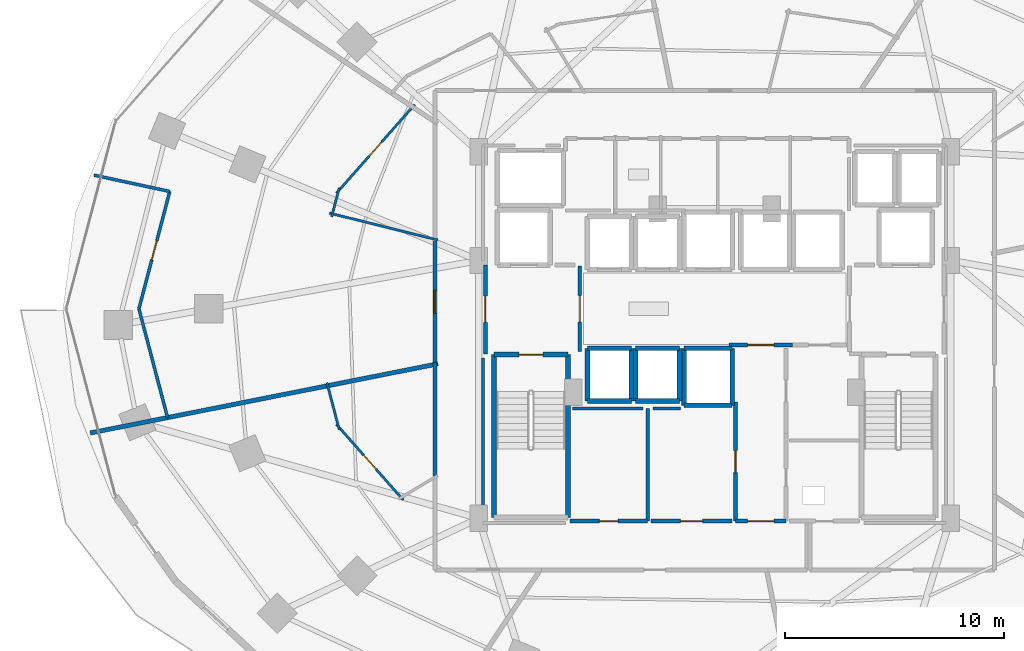
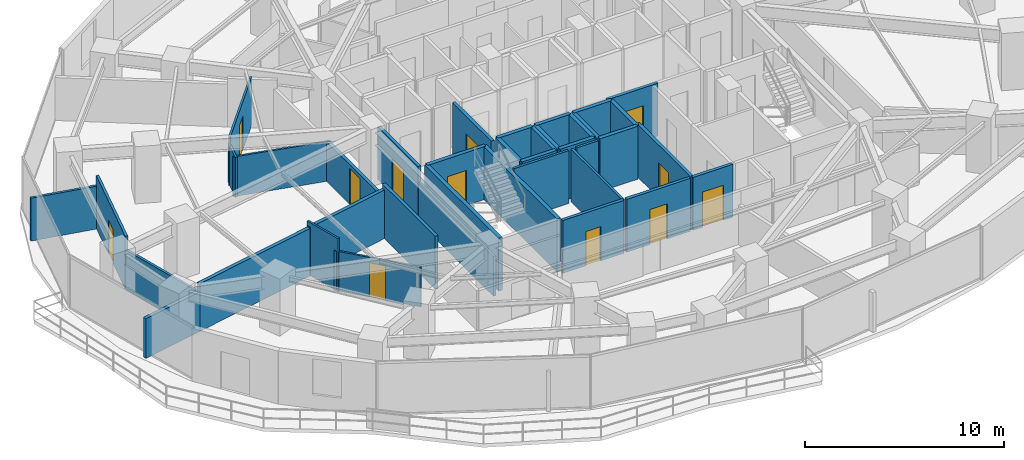
# One storey, part 23 of 30: 39 walls, 12 doors, 12 openings.
"""IFC4 building model written with IfcOpenShell, lengths in metres."""

from ifc_helpers import new_model, si_unit, direction, frame, frame_2d, origin, place, context, subcontext, project, spatial, rectangle, extrude, material, layer, layer_set, type_object, element, fill, save


model = new_model("IFC4")

# Units and contexts
model_context = context("Model", 3, precision=1e-05, world=origin(), true_north=direction((0.0, 1.0)))
body_context = subcontext(model_context, "Body", "Model", "MODEL_VIEW")
ifc_project = project(units=[si_unit("LENGTHUNIT", "METRE"), si_unit("AREAUNIT", "SQUARE_METRE"), si_unit("VOLUMEUNIT", "CUBIC_METRE"), si_unit("PLANEANGLEUNIT", "RADIAN"), si_unit("MASSUNIT", "GRAM", prefix="KILO")], contexts=[model_context])

# Site, building, storey
site_placement = place(None, origin())
site = spatial("IfcSite", under=ifc_project, at=site_placement, CompositionType="ELEMENT")
building_placement = place(site_placement, origin())
building = spatial("IfcBuilding", under=site, at=building_placement, Name="Vorneva Point Tower", CompositionType="ELEMENT")
storey_placement = place(building_placement, frame((0.0, 0.0, 41.5)))
storey = spatial("IfcBuildingStorey", under=building, at=storey_placement, Name="L10", CompositionType="ELEMENT", Elevation=41.5)

# Walls
ifc_material_1 = material(Name="Fire-rated acoustic gypsum stud partition", Category="gypsum")
ifc_layer_1 = layer(ifc_material_1, 0.110107421875)
ifc_layer_set_1 = layer_set([ifc_layer_1], Name="Fire-rated acoustic gypsum stud partition")
wall_type_1 = type_object("IfcWallType", Name="WL-PART-110", PredefinedType="PARTITIONING", material=ifc_layer_set_1)
wall_1_placement = place(storey_placement, frame((25.385986328125, 29.13330078125, 0.0), z_axis=(0.0, 0.0, 1.0), x_axis=(-0.970485458541, 0.241159645796, 0.0)))
element("IfcWall", 1, at=wall_1_placement, inside=storey, type_object=wall_type_1, Name="L10 Interior Partition 077", PredefinedType="PARTITIONING", context=body_context, shape_type="SweptSolid", body=[
    extrude(rectangle(XDim=5.09423828125, YDim=0.110107421875, at=frame_2d((2.547119140625, 0.0))), origin(), (0.0, 0.0, 1.0), 2.431884765625),
])
wall_2_placement = place(storey_placement, frame((20.542236328125, 30.192626953125, 0.0), z_axis=(0.0, 0.0, 1.0), x_axis=(0.254988593673, 0.966944060997, 0.0)))
element("IfcWall", 2, at=wall_2_placement, inside=storey, type_object=wall_type_1, Name="L10 Interior Partition 078", PredefinedType="PARTITIONING", context=body_context, shape_type="SweptSolid", body=[
    extrude(rectangle(XDim=1.358642578125, YDim=0.110107421875, at=frame_2d((0.67919921875, 0.0))), origin(), (0.0, 0.0, 1.0), 2.431884765625),
])

# Wall, opening, door
wall_3_placement = place(storey_placement, frame((20.76025390625, 31.26611328125, 0.0), z_axis=(0.0, 0.0, 1.0), x_axis=(0.662087707802, 0.749426358742, 0.0)))
wall_3 = element("IfcWall", 3, at=wall_3_placement, inside=storey, type_object=wall_type_1, Name="L10 Interior Partition 079", PredefinedType="PARTITIONING", context=body_context, shape_type="SweptSolid", body=[
    extrude(rectangle(XDim=5.38671875, YDim=0.110107421875, at=frame_2d((2.693359375, 0.0))), origin(), (0.0, 0.0, 1.0), 2.971923828125),
])
opening_1_placement = place(wall_3_placement, frame((2.268310546875, 0.0, 0.0)))
opening_1 = element("IfcOpeningElement", 4, at=opening_1_placement, cuts=wall_3, Name="Opening ID-02", PredefinedType="OPENING", context=body_context, shape_type="SweptSolid", body=[
    extrude(rectangle(XDim=0.85009765625, YDim=2.10009765625, at=frame_2d((0.425048828125, 1.050048828125))), frame((0.0, 0.06982421875, 0.0), z_axis=(0.0, -1.0, 0.0), x_axis=(1.0, 0.0, 0.0)), (0.0, 0.0, 1.0), 0.139892578125),
])
ifc_material_2 = material(Name="Engineered oak fire-rated door leaf", Category="wood")
door_type_1 = type_object("IfcDoorType", Name="DR-BATH-850", OperationType="NOTDEFINED", PredefinedType="DOOR", material=ifc_material_2)
door_1_placement = place(opening_1_placement, origin())
door_1 = element("IfcDoor", 5, at=door_1_placement, inside=storey, type_object=door_type_1, Name="L10 Door Executive Suite L10-04 / En-Suite Bathroom L10-04", OperationType="SINGLE_SWING_RIGHT", OverallHeight=2.10009765625, OverallWidth=0.85009765625, PredefinedType="DOOR", context=body_context, shape_type="SweptSolid", body=[
    extrude(rectangle(XDim=0.85009765625, YDim=2.10009765625, at=frame_2d((0.425048828125, 1.050048828125))), frame((0.0, 0.02490234375, 0.0), z_axis=(0.0, -1.0, 0.0), x_axis=(1.0, 0.0, 0.0)), (0.0, 0.0, 1.0), 0.050048828125),
])
fill(opening_1, door_1)

wall_4_placement = place(storey_placement, frame((23.8017578125, 17.291015625, 0.0), z_axis=(0.0, 0.0, 1.0), x_axis=(-0.662071486681, 0.74944068913, 0.0)))
wall_4 = element("IfcWall", 6, at=wall_4_placement, inside=storey, type_object=wall_type_1, Name="L10 Interior Partition 087", PredefinedType="PARTITIONING", context=body_context, shape_type="SweptSolid", body=[
    extrude(rectangle(XDim=4.593994140625, YDim=0.110107421875, at=frame_2d((2.296875, 0.0))), origin(), (0.0, 0.0, 1.0), 2.431884765625),
])
opening_2_placement = place(wall_4_placement, frame((1.871826171875, 0.0, 0.0)))
opening_2 = element("IfcOpeningElement", 7, at=opening_2_placement, cuts=wall_4, Name="Opening ID-02", PredefinedType="OPENING", context=body_context, shape_type="SweptSolid", body=[
    extrude(rectangle(XDim=0.85009765625, YDim=2.10009765625, at=frame_2d((0.425048828125, 1.050048828125))), frame((0.0, 0.06982421875, 0.0), z_axis=(0.0, -1.0, 0.0), x_axis=(1.0, 0.0, 0.0)), (0.0, 0.0, 1.0), 0.139892578125),
])
door_2_placement = place(opening_2_placement, origin())
door_2 = element("IfcDoor", 8, at=door_2_placement, inside=storey, type_object=door_type_1, Name="L10 Door Corner Suite L10-05 / En-Suite Bathroom L10-05", OperationType="SINGLE_SWING_RIGHT", OverallHeight=2.10009765625, OverallWidth=0.85009765625, PredefinedType="DOOR", context=body_context, shape_type="SweptSolid", body=[
    extrude(rectangle(XDim=0.85009765625, YDim=2.10009765625, at=frame_2d((0.425048828125, 1.050048828125))), frame((0.0, 0.02490234375, 0.0), z_axis=(0.0, -1.0, 0.0), x_axis=(1.0, 0.0, 0.0)), (0.0, 0.0, 1.0), 0.050048828125),
])
fill(opening_2, door_2)

# Walls
wall_5_placement = place(storey_placement, frame((20.888671875, 20.49365234375, 0.0), z_axis=(0.0, 0.0, 1.0), x_axis=(-0.254389812051, 0.967101764823, 0.0)))
element("IfcWall", 9, at=wall_5_placement, inside=storey, type_object=wall_type_1, Name="L10 Interior Partition 088", PredefinedType="PARTITIONING", context=body_context, shape_type="SweptSolid", body=[
    extrude(rectangle(XDim=2.206298828125, YDim=0.110107421875, at=frame_2d((1.10302734375, 0.0))), origin(), (0.0, 0.0, 1.0), 3.239990234375),
])
ifc_layer_2 = layer(ifc_material_1, 0.139892578125)
ifc_layer_set_2 = layer_set([ifc_layer_2], Name="Fire-rated acoustic gypsum stud partition")
wall_type_2 = type_object("IfcWallType", Name="WL-PART-140", PredefinedType="PARTITIONING", material=ifc_layer_set_2)
wall_6_placement = place(storey_placement, frame((34.949951171875, 16.320068359375, 0.0), z_axis=(0.0, 0.0, 1.0), x_axis=(0.0, 1.0, 0.0)))
element("IfcWall", 10, at=wall_6_placement, inside=storey, type_object=wall_type_2, Name="L10 Interior Partition 025", PredefinedType="PARTITIONING", context=body_context, shape_type="SweptSolid", body=[
    extrude(rectangle(XDim=5.1298828125, YDim=0.139892578125, at=frame_2d((2.56494140625, 0.0))), origin(), (0.0, 0.0, 1.0), 3.239990234375),
])
wall_7_placement = place(storey_placement, frame((9.712890625, 32.090087890625, 0.0), z_axis=(0.0, 0.0, 1.0), x_axis=(0.977615913399, -0.210397542448, 0.0)))
element("IfcWall", 11, at=wall_7_placement, inside=storey, type_object=wall_type_2, Name="L10 Interior Partition 080", PredefinedType="PARTITIONING", context=body_context, shape_type="SweptSolid", body=[
    extrude(rectangle(XDim=3.5322265625, YDim=0.139892578125, at=frame_2d((1.76611328125, 0.0))), origin(), (0.0, 0.0, 1.0), 2.6240234375),
])

# Wall, opening, door
wall_8_placement = place(storey_placement, frame((13.166015625, 31.346923828125, 0.0), z_axis=(0.0, 0.0, 1.0), x_axis=(-0.25431071056, -0.967122568496, 0.0)))
wall_8 = element("IfcWall", 12, at=wall_8_placement, inside=storey, type_object=wall_type_2, Name="L10 Interior Partition 081", PredefinedType="PARTITIONING", context=body_context, shape_type="SweptSolid", body=[
    extrude(rectangle(XDim=5.52880859375, YDim=0.139892578125, at=frame_2d((2.764404296875, 0.0))), origin(), (0.0, 0.0, 1.0), 3.239990234375),
])
opening_3_placement = place(wall_8_placement, frame((2.314453125, 0.0, 0.0)))
opening_3 = element("IfcOpeningElement", 13, at=opening_3_placement, cuts=wall_8, Name="Opening ID-01", PredefinedType="OPENING", context=body_context, shape_type="SweptSolid", body=[
    extrude(rectangle(XDim=0.89990234375, YDim=2.10009765625, at=frame_2d((0.449951171875, 1.050048828125))), frame((0.0, 0.0849609375, 0.0), z_axis=(0.0, -1.0, 0.0), x_axis=(1.0, 0.0, 0.0)), (0.0, 0.0, 1.0), 0.169677734375),
])
door_type_2 = type_object("IfcDoorType", Name="DR-ROOM-900", OperationType="NOTDEFINED", PredefinedType="DOOR", material=ifc_material_2)
door_3_placement = place(opening_3_placement, origin())
door_3 = element("IfcDoor", 14, at=door_3_placement, inside=storey, type_object=door_type_2, Name="L10 Door Executive Suite L10-04 / Suite Sitting Study L10-04", OperationType="SINGLE_SWING_LEFT", OverallHeight=2.10009765625, OverallWidth=0.89990234375, PredefinedType="DOOR", context=body_context, shape_type="SweptSolid", body=[
    extrude(rectangle(XDim=0.89990234375, YDim=2.10009765625, at=frame_2d((0.449951171875, 1.050048828125))), frame((0.0, 0.02490234375, 0.0), z_axis=(0.0, -1.0, 0.0), x_axis=(1.0, 0.0, 0.0)), (0.0, 0.0, 1.0), 0.050048828125),
])
fill(opening_3, door_3)

# Walls
wall_9_placement = place(storey_placement, frame((11.760009765625, 26.0, 0.0), z_axis=(0.0, 0.0, 1.0), x_axis=(0.254434720755, -0.967089950767, 0.0)))
element("IfcWall", 15, at=wall_9_placement, inside=storey, type_object=wall_type_2, Name="L10 Interior Partition 082", PredefinedType="PARTITIONING", context=body_context, shape_type="SweptSolid", body=[
    extrude(rectangle(XDim=5.128662109375, YDim=0.139892578125, at=frame_2d((2.564453125, 0.0))), origin(), (0.0, 0.0, 1.0), 2.431884765625),
])
wall_10_placement = place(storey_placement, frame((34.72998046875, 21.449951171875, 0.0), z_axis=(0.0, 0.0, 1.0), x_axis=(-1.0, 0.0, 0.0)))
element("IfcWall", 16, at=wall_10_placement, inside=storey, type_object=wall_type_2, Name="L10 Interior Closure Partition 099", PredefinedType="PARTITIONING", context=body_context, shape_type="SweptSolid", body=[
    extrude(rectangle(XDim=3.199951171875, YDim=0.139892578125, at=frame_2d((1.60009765625, 0.0))), origin(), (0.0, 0.0, 1.0), 3.239990234375),
])
wall_11_placement = place(storey_placement, frame((36.43896484375, 21.449951171875, 0.0), z_axis=(0.0, 0.0, 1.0), x_axis=(-1.0, 0.0, 0.0)))
element("IfcWall", 17, at=wall_11_placement, inside=storey, type_object=wall_type_2, Name="L10 Interior Closure Partition 100", PredefinedType="PARTITIONING", context=body_context, shape_type="SweptSolid", body=[
    extrude(rectangle(XDim=1.259033203125, YDim=0.139892578125, at=frame_2d((0.62939453125, 0.0))), origin(), (0.0, 0.0, 1.0), 3.239990234375),
])
wall_12_placement = place(storey_placement, frame((27.449951171875, 16.239990234375, 0.0), z_axis=(0.0, 0.0, 1.0), x_axis=(0.0, 1.0, 0.0)))
element("IfcWall", 18, at=wall_12_placement, inside=storey, type_object=wall_type_2, Name="L10 Interior Closure Partition 106", PredefinedType="PARTITIONING", context=body_context, shape_type="SweptSolid", body=[
    extrude(rectangle(XDim=7.513916015625, YDim=0.139892578125, at=frame_2d((3.7568359375, 0.0))), origin(), (0.0, 0.0, 1.0), 2.431884765625),
])

# Wall, opening, door
ifc_material_3 = material(Name="Autoclaved aerated concrete blockwork", Category="masonry")
ifc_layer_3 = layer(ifc_material_3, 0.179931640625)
ifc_layer_set_3 = layer_set([ifc_layer_3], Name="Autoclaved aerated concrete blockwork")
wall_type_3 = type_object("IfcWallType", Name="WL-PART-180", PredefinedType="PARTITIONING", material=ifc_layer_set_3)
wall_13_placement = place(storey_placement, frame((31.85009765625, 24.044921875, 0.0), z_axis=(0.0, 0.0, 1.0), x_axis=(0.0, 1.0, 0.0)))
wall_13 = element("IfcWall", 19, at=wall_13_placement, inside=storey, type_object=wall_type_3, Name="L10 Interior Partition 001", PredefinedType="PARTITIONING", context=body_context, shape_type="SweptSolid", body=[
    extrude(rectangle(XDim=3.91015625, YDim=0.179931640625, at=frame_2d((1.955078125, 0.0))), origin(), (0.0, 0.0, 1.0), 3.239990234375),
])
opening_4_placement = place(wall_13_placement, frame((1.35498046875, 0.0, 0.0)))
opening_4 = element("IfcOpeningElement", 20, at=opening_4_placement, cuts=wall_13, Name="Opening FD-02", PredefinedType="OPENING", context=body_context, shape_type="SweptSolid", body=[
    extrude(rectangle(XDim=1.199951171875, YDim=2.14990234375, at=frame_2d((0.60009765625, 1.074951171875))), frame((0.0, 0.10498046875, 0.0), z_axis=(0.0, -1.0, 0.0), x_axis=(1.0, 0.0, 0.0)), (0.0, 0.0, 1.0), 0.209716796875),
])
ifc_material_4 = material(Name="Fire-rated powder-coated steel", Category="steel")
door_type_3 = type_object("IfcDoorType", Name="DR-FFL-1200", OperationType="NOTDEFINED", PredefinedType="DOOR", material=ifc_material_4)
door_4_placement = place(opening_4_placement, origin())
door_4 = element("IfcDoor", 21, at=door_4_placement, inside=storey, type_object=door_type_3, Name="L10 Door West Firefighting Lobby / Central Lift Lobby", OperationType="SINGLE_SWING_RIGHT", OverallHeight=2.14990234375, OverallWidth=1.199951171875, PredefinedType="DOOR", context=body_context, shape_type="SweptSolid", body=[
    extrude(rectangle(XDim=1.199951171875, YDim=2.14990234375, at=frame_2d((0.60009765625, 1.074951171875))), frame((0.0, 0.02490234375, 0.0), z_axis=(0.0, -1.0, 0.0), x_axis=(1.0, 0.0, 0.0)), (0.0, 0.0, 1.0), 0.050048828125),
])
fill(opening_4, door_4)

wall_14_placement = place(storey_placement, frame((27.550048828125, 28.0, 0.0), z_axis=(0.0, 0.0, 1.0), x_axis=(0.0, -1.0, 0.0)))
wall_14 = element("IfcWall", 22, at=wall_14_placement, inside=storey, type_object=wall_type_3, Name="L10 Interior Partition 002", PredefinedType="PARTITIONING", context=body_context, shape_type="SweptSolid", body=[
    extrude(rectangle(XDim=4.050048828125, YDim=0.179931640625, at=frame_2d((2.02490234375, 0.0))), origin(), (0.0, 0.0, 1.0), 3.239990234375),
])
opening_5_placement = place(wall_14_placement, frame((1.425048828125, 0.0, 0.0)))
opening_5 = element("IfcOpeningElement", 23, at=opening_5_placement, cuts=wall_14, Name="Opening FD-02", PredefinedType="OPENING", context=body_context, shape_type="SweptSolid", body=[
    extrude(rectangle(XDim=1.199951171875, YDim=2.14990234375, at=frame_2d((0.60009765625, 1.074951171875))), frame((0.0, 0.10498046875, 0.0), z_axis=(0.0, -1.0, 0.0), x_axis=(1.0, 0.0, 0.0)), (0.0, 0.0, 1.0), 0.209716796875),
])
door_5_placement = place(opening_5_placement, origin())
door_5 = element("IfcDoor", 24, at=door_5_placement, inside=storey, type_object=door_type_3, Name="L10 Door West Firefighting Lobby / L10 Circulation Corridor", OperationType="SINGLE_SWING_RIGHT", OverallHeight=2.14990234375, OverallWidth=1.199951171875, PredefinedType="DOOR", context=body_context, shape_type="SweptSolid", body=[
    extrude(rectangle(XDim=1.199951171875, YDim=2.14990234375, at=frame_2d((0.60009765625, 1.074951171875))), frame((0.0, 0.02490234375, 0.0), z_axis=(0.0, -1.0, 0.0), x_axis=(1.0, 0.0, 0.0)), (0.0, 0.0, 1.0), 0.050048828125),
])
fill(opening_5, door_5)

wall_15_placement = place(storey_placement, frame((38.64501953125, 24.35009765625, 0.0), z_axis=(0.0, 0.0, 1.0), x_axis=(1.0, 0.0, 0.0)))
wall_15 = element("IfcWall", 25, at=wall_15_placement, inside=storey, type_object=wall_type_3, Name="L10 Interior Partition 009", PredefinedType="PARTITIONING", context=body_context, shape_type="SweptSolid", body=[
    extrude(rectangle(XDim=2.909912109375, YDim=0.179931640625, at=frame_2d((1.455078125, 0.0))), origin(), (0.0, 0.0, 1.0), 3.239990234375),
])
opening_6_placement = place(wall_15_placement, frame((0.85498046875, 0.0, 0.0)))
opening_6 = element("IfcOpeningElement", 26, at=opening_6_placement, cuts=wall_15, Name="Opening FD-02", PredefinedType="OPENING", context=body_context, shape_type="SweptSolid", body=[
    extrude(rectangle(XDim=1.199951171875, YDim=2.14990234375, at=frame_2d((0.60009765625, 1.074951171875))), frame((0.0, 0.10498046875, 0.0), z_axis=(0.0, -1.0, 0.0), x_axis=(1.0, 0.0, 0.0)), (0.0, 0.0, 1.0), 0.209716796875),
])
door_6_placement = place(opening_6_placement, origin())
door_6 = element("IfcDoor", 27, at=door_6_placement, inside=storey, type_object=door_type_3, Name="L10 Door Central Lift Lobby / Core Service Lobby", OperationType="SINGLE_SWING_LEFT", OverallHeight=2.14990234375, OverallWidth=1.199951171875, PredefinedType="DOOR", context=body_context, shape_type="SweptSolid", body=[
    extrude(rectangle(XDim=1.199951171875, YDim=2.14990234375, at=frame_2d((0.60009765625, 1.074951171875))), frame((0.0, 0.02490234375, 0.0), z_axis=(0.0, -1.0, 0.0), x_axis=(1.0, 0.0, 0.0)), (0.0, 0.0, 1.0), 0.050048828125),
])
fill(opening_6, door_6)

wall_16_placement = place(storey_placement, frame((38.949951171875, 21.7548828125, 0.0), z_axis=(0.0, 0.0, 1.0), x_axis=(0.0, -1.0, 0.0)))
wall_16 = element("IfcWall", 28, at=wall_16_placement, inside=storey, type_object=wall_type_3, Name="L10 Interior Partition 013", PredefinedType="PARTITIONING", context=body_context, shape_type="SweptSolid", body=[
    extrude(rectangle(XDim=5.434814453125, YDim=0.179931640625, at=frame_2d((2.71728515625, 0.0))), origin(), (0.0, 0.0, 1.0), 3.239990234375),
])
opening_7_placement = place(wall_16_placement, frame((2.217529296875, 0.0, 0.0)))
opening_7 = element("IfcOpeningElement", 29, at=opening_7_placement, cuts=wall_16, Name="Opening UD-01", PredefinedType="OPENING", context=body_context, shape_type="SweptSolid", body=[
    extrude(rectangle(XDim=1.0, YDim=2.14990234375, at=frame_2d((0.5, 1.074951171875))), frame((0.0, 0.10498046875, 0.0), z_axis=(0.0, -1.0, 0.0), x_axis=(1.0, 0.0, 0.0)), (0.0, 0.0, 1.0), 0.209716796875),
])
door_type_4 = type_object("IfcDoorType", Name="DR-UNIT-1000", OperationType="NOTDEFINED", PredefinedType="DOOR", material=ifc_material_2)
door_7_placement = place(opening_7_placement, origin())
door_7 = element("IfcDoor", 30, at=door_7_placement, inside=storey, type_object=door_type_4, Name="L10 Door Core Service Lobby / Staff Service Pantry", OperationType="SINGLE_SWING_LEFT", OverallHeight=2.14990234375, OverallWidth=1.0, PredefinedType="DOOR", context=body_context, shape_type="SweptSolid", body=[
    extrude(rectangle(XDim=1.0, YDim=2.14990234375, at=frame_2d((0.5, 1.074951171875))), frame((0.0, 0.02490234375, 0.0), z_axis=(0.0, -1.0, 0.0), x_axis=(1.0, 0.0, 0.0)), (0.0, 0.0, 1.0), 0.050048828125),
])
fill(opening_7, door_7)

wall_17_placement = place(storey_placement, frame((38.949951171875, 16.320068359375, 0.0), z_axis=(0.0, 0.0, 1.0), x_axis=(1.0, 0.0, 0.0)))
wall_17 = element("IfcWall", 31, at=wall_17_placement, inside=storey, type_object=wall_type_3, Name="L10 Interior Partition 014", PredefinedType="PARTITIONING", context=body_context, shape_type="SweptSolid", body=[
    extrude(rectangle(XDim=2.300048828125, YDim=0.179931640625, at=frame_2d((1.14990234375, 0.0))), origin(), (0.0, 0.0, 1.0), 3.239990234375),
])
opening_8_placement = place(wall_17_placement, frame((0.550048828125, 0.0, 0.0)))
opening_8 = element("IfcOpeningElement", 32, at=opening_8_placement, cuts=wall_17, Name="Opening FD-02", PredefinedType="OPENING", context=body_context, shape_type="SweptSolid", body=[
    extrude(rectangle(XDim=1.199951171875, YDim=2.14990234375, at=frame_2d((0.60009765625, 1.074951171875))), frame((0.0, 0.10498046875, 0.0), z_axis=(0.0, -1.0, 0.0), x_axis=(1.0, 0.0, 0.0)), (0.0, 0.0, 1.0), 0.209716796875),
])
door_8_placement = place(opening_8_placement, origin())
door_8 = element("IfcDoor", 33, at=door_8_placement, inside=storey, type_object=door_type_3, Name="L10 Door Core Service Lobby / L10 Circulation Corridor", OperationType="SINGLE_SWING_RIGHT", OverallHeight=2.14990234375, OverallWidth=1.199951171875, PredefinedType="DOOR", context=body_context, shape_type="SweptSolid", body=[
    extrude(rectangle(XDim=1.199951171875, YDim=2.14990234375, at=frame_2d((0.60009765625, 1.074951171875))), frame((0.0, 0.02490234375, 0.0), z_axis=(0.0, -1.0, 0.0), x_axis=(1.0, 0.0, 0.0)), (0.0, 0.0, 1.0), 0.050048828125),
])
fill(opening_8, door_8)

wall_18_placement = place(storey_placement, frame((31.39990234375, 16.320068359375, 0.0), z_axis=(0.0, 0.0, 1.0), x_axis=(1.0, 0.0, 0.0)))
wall_18 = element("IfcWall", 34, at=wall_18_placement, inside=storey, type_object=wall_type_3, Name="L10 Interior Partition 026", PredefinedType="PARTITIONING", context=body_context, shape_type="SweptSolid", body=[
    extrude(rectangle(XDim=3.550048828125, YDim=0.179931640625, at=frame_2d((1.77490234375, 0.0))), origin(), (0.0, 0.0, 1.0), 3.239990234375),
])
opening_9_placement = place(wall_18_placement, frame((1.35009765625, 0.0, 0.0)))
opening_9 = element("IfcOpeningElement", 35, at=opening_9_placement, cuts=wall_18, Name="Opening ID-02", PredefinedType="OPENING", context=body_context, shape_type="SweptSolid", body=[
    extrude(rectangle(XDim=0.85009765625, YDim=2.10009765625, at=frame_2d((0.425048828125, 1.050048828125))), frame((0.0, 0.10498046875, 0.0), z_axis=(0.0, -1.0, 0.0), x_axis=(1.0, 0.0, 0.0)), (0.0, 0.0, 1.0), 0.209716796875),
])
door_9_placement = place(opening_9_placement, origin())
door_9 = element("IfcDoor", 36, at=door_9_placement, inside=storey, type_object=door_type_1, Name="L10 Door Housekeeping Room / L10 Circulation Corridor", OperationType="SINGLE_SWING_RIGHT", OverallHeight=2.10009765625, OverallWidth=0.85009765625, PredefinedType="DOOR", context=body_context, shape_type="SweptSolid", body=[
    extrude(rectangle(XDim=0.85009765625, YDim=2.10009765625, at=frame_2d((0.425048828125, 1.050048828125))), frame((0.0, 0.02490234375, 0.0), z_axis=(0.0, -1.0, 0.0), x_axis=(1.0, 0.0, 0.0)), (0.0, 0.0, 1.0), 0.050048828125),
])
fill(opening_9, door_9)

wall_19_placement = place(storey_placement, frame((35.10009765625, 16.320068359375, 0.0), z_axis=(0.0, 0.0, 1.0), x_axis=(1.0, 0.0, 0.0)))
wall_19 = element("IfcWall", 37, at=wall_19_placement, inside=storey, type_object=wall_type_3, Name="L10 Interior Partition 027", PredefinedType="PARTITIONING", context=body_context, shape_type="SweptSolid", body=[
    extrude(rectangle(XDim=3.699951171875, YDim=0.179931640625, at=frame_2d((1.85009765625, 0.0))), origin(), (0.0, 0.0, 1.0), 3.239990234375),
])
opening_10_placement = place(wall_19_placement, frame((1.35009765625, 0.0, 0.0)))
opening_10 = element("IfcOpeningElement", 38, at=opening_10_placement, cuts=wall_19, Name="Opening UD-01", PredefinedType="OPENING", context=body_context, shape_type="SweptSolid", body=[
    extrude(rectangle(XDim=1.0, YDim=2.14990234375, at=frame_2d((0.5, 1.074951171875))), frame((0.0, 0.10498046875, 0.0), z_axis=(0.0, -1.0, 0.0), x_axis=(1.0, 0.0, 0.0)), (0.0, 0.0, 1.0), 0.209716796875),
])
door_10_placement = place(opening_10_placement, origin())
door_10 = element("IfcDoor", 39, at=door_10_placement, inside=storey, type_object=door_type_4, Name="L10 Door Staff Service Pantry / L10 Circulation Corridor", OperationType="SINGLE_SWING_LEFT", OverallHeight=2.14990234375, OverallWidth=1.0, PredefinedType="DOOR", context=body_context, shape_type="SweptSolid", body=[
    extrude(rectangle(XDim=1.0, YDim=2.14990234375, at=frame_2d((0.5, 1.074951171875))), frame((0.0, 0.02490234375, 0.0), z_axis=(0.0, -1.0, 0.0), x_axis=(1.0, 0.0, 0.0)), (0.0, 0.0, 1.0), 0.050048828125),
])
fill(opening_10, door_10)

wall_20_placement = place(storey_placement, frame((25.25, 29.22900390625, 0.0), z_axis=(0.0, 0.0, 1.0), x_axis=(0.0, -1.0, 0.0)))
wall_20 = element("IfcWall", 40, at=wall_20_placement, inside=storey, type_object=wall_type_3, Name="L10 Interior Partition 037", PredefinedType="PARTITIONING", context=body_context, shape_type="SweptSolid", body=[
    extrude(rectangle(XDim=5.825927734375, YDim=0.179931640625, at=frame_2d((2.9130859375, 0.0))), origin(), (0.0, 0.0, 1.0), 2.431884765625),
])
opening_11_placement = place(wall_20_placement, frame((2.387939453125, 0.0, 0.0)))
opening_11 = element("IfcOpeningElement", 41, at=opening_11_placement, cuts=wall_20, Name="Opening UD-02", PredefinedType="OPENING", context=body_context, shape_type="SweptSolid", body=[
    extrude(rectangle(XDim=1.050048828125, YDim=2.199951171875, at=frame_2d((0.52490234375, 1.10009765625))), frame((0.0, 0.10498046875, 0.0), z_axis=(0.0, -1.0, 0.0), x_axis=(1.0, 0.0, 0.0)), (0.0, 0.0, 1.0), 0.209716796875),
])
door_type_5 = type_object("IfcDoorType", Name="DR-SUITE-1050", OperationType="NOTDEFINED", PredefinedType="DOOR", material=ifc_material_2)
door_11_placement = place(opening_11_placement, origin())
door_11 = element("IfcDoor", 42, at=door_11_placement, inside=storey, type_object=door_type_5, Name="L10 Door L10 Circulation Corridor / Executive Suite L10-04", OperationType="SINGLE_SWING_RIGHT", OverallHeight=2.199951171875, OverallWidth=1.050048828125, PredefinedType="DOOR", context=body_context, shape_type="SweptSolid", body=[
    extrude(rectangle(XDim=1.050048828125, YDim=2.199951171875, at=frame_2d((0.52490234375, 1.10009765625))), frame((0.0, 0.02490234375, 0.0), z_axis=(0.0, -1.0, 0.0), x_axis=(1.0, 0.0, 0.0)), (0.0, 0.0, 1.0), 0.050048828125),
])
fill(opening_11, door_11)

# Walls
wall_21_placement = place(storey_placement, frame((25.25, 23.54296875, 0.0), z_axis=(0.0, 0.0, 1.0), x_axis=(0.0, -1.0, 0.0)))
element("IfcWall", 43, at=wall_21_placement, inside=storey, type_object=wall_type_3, Name="L10 Interior Partition 041", PredefinedType="PARTITIONING", context=body_context, shape_type="SweptSolid", body=[
    extrude(rectangle(XDim=5.299072265625, YDim=0.179931640625, at=frame_2d((2.6494140625, 0.0))), origin(), (0.0, 0.0, 1.0), 3.239990234375),
])
ifc_layer_4 = layer(ifc_material_3, 0.199951171875)
ifc_layer_set_4 = layer_set([ifc_layer_4], Name="Autoclaved aerated concrete blockwork")
wall_type_4 = type_object("IfcWallType", Name="WL-PART-200", PredefinedType="PARTITIONING", material=ifc_layer_set_4)
wall_22_placement = place(storey_placement, frame((13.06494140625, 21.0400390625, 0.0), z_axis=(0.0, 0.0, 1.0), x_axis=(0.980774220135, 0.195145917502, 0.0)))
element("IfcWall", 44, at=wall_22_placement, inside=storey, type_object=wall_type_4, Name="L10 Interior Partition 083", PredefinedType="PARTITIONING", context=body_context, shape_type="SweptSolid", body=[
    extrude(rectangle(XDim=7.50146484375, YDim=0.199951171875, at=frame_2d((3.750732421875, 0.0))), origin(), (0.0, 0.0, 1.0), 2.922119140625),
])
wall_23_placement = place(storey_placement, frame((20.284912109375, 22.476318359375, 0.0), z_axis=(0.0, 0.0, 1.0), x_axis=(0.980785905074, 0.195087181559, 0.0)))
element("IfcWall", 45, at=wall_23_placement, inside=storey, type_object=wall_type_4, Name="L10 Interior Partition 084", PredefinedType="PARTITIONING", context=body_context, shape_type="SweptSolid", body=[
    extrude(rectangle(XDim=5.2021484375, YDim=0.199951171875, at=frame_2d((2.60107421875, 0.0))), origin(), (0.0, 0.0, 1.0), 2.971923828125),
])
wall_24_placement = place(storey_placement, frame((9.541015625, 20.339111328125, 0.0), z_axis=(0.0, 0.0, 1.0), x_axis=(0.980786594985, 0.195083713053, 0.0)))
element("IfcWall", 46, at=wall_24_placement, inside=storey, type_object=wall_type_4, Name="L10 Interior Partition 085", PredefinedType="PARTITIONING", context=body_context, shape_type="SweptSolid", body=[
    extrude(rectangle(XDim=3.593017578125, YDim=0.199951171875, at=frame_2d((1.79638671875, 0.0))), origin(), (0.0, 0.0, 1.0), 2.431884765625),
])

# Wall, opening, door
ifc_material_5 = material(Name="Concrete B50 (C40/50)", Category="concrete")
ifc_layer_5 = layer(ifc_material_5, 0.219970703125)
ifc_layer_set_5 = layer_set([ifc_layer_5], Name="Concrete B50 (C40/50)")
wall_type_5 = type_object("IfcWallType", Name="WL-SHFT-220", PredefinedType="SOLIDWALL", material=ifc_layer_set_5)
wall_25_placement = place(storey_placement, frame((27.93994140625, 23.909912109375, 0.0), z_axis=(0.0, 0.0, 1.0), x_axis=(1.0, 0.0, 0.0)))
wall_25 = element("IfcWall", 47, at=wall_25_placement, inside=storey, type_object=wall_type_5, Name="L10 Exit Stair ST1 Shaft Wall near", PredefinedType="SOLIDWALL", context=body_context, shape_type="SweptSolid", body=[
    extrude(rectangle(XDim=3.3701171875, YDim=0.219970703125, at=frame_2d((1.68505859375, 0.0))), origin(), (0.0, 0.0, 1.0), 3.239990234375),
])
opening_12_placement = place(wall_25_placement, frame((1.135009765625, 0.0, 0.0)))
opening_12 = element("IfcOpeningElement", 48, at=opening_12_placement, cuts=wall_25, Name="Opening FD-01", PredefinedType="OPENING", context=body_context, shape_type="SweptSolid", body=[
    extrude(rectangle(XDim=1.10009765625, YDim=2.14990234375, at=frame_2d((0.550048828125, 1.074951171875))), frame((0.0, 0.125, 0.0), z_axis=(0.0, -1.0, 0.0), x_axis=(1.0, 0.0, 0.0)), (0.0, 0.0, 1.0), 0.249755859375),
])
door_type_6 = type_object("IfcDoorType", Name="DR-STAIR-1100", OperationType="NOTDEFINED", PredefinedType="DOOR", material=ifc_material_4)
door_12_placement = place(opening_12_placement, origin())
door_12 = element("IfcDoor", 49, at=door_12_placement, inside=storey, type_object=door_type_6, Name="L10 Exit Stair ST1 Fire Door", OperationType="SINGLE_SWING_RIGHT", OverallHeight=2.14990234375, OverallWidth=1.10009765625, PredefinedType="DOOR", context=body_context, shape_type="SweptSolid", body=[
    extrude(rectangle(XDim=1.10009765625, YDim=2.14990234375, at=frame_2d((0.550048828125, 1.074951171875))), frame((0.0, 0.02490234375, 0.0), z_axis=(0.0, -1.0, 0.0), x_axis=(1.0, 0.0, 0.0)), (0.0, 0.0, 1.0), 0.050048828125),
])
fill(opening_12, door_12)

# Walls
for number, where, z_axis, x_axis, name in (
    (50, (31.31005859375, 23.909912109375, 0.0), (0.0, 0.0, 1.0), (0.0, -1.0, 0.0), "L10 Exit Stair ST1 Shaft Wall right"),
    (51, (27.93994140625, 16.489990234375, 0.0), (0.0, 0.0, 1.0), (0.0, 1.0, 0.0), "L10 Exit Stair ST1 Shaft Wall left"),
):
    element("IfcWall", number, at=place(storey_placement, frame(where, z_axis=z_axis, x_axis=x_axis)), inside=storey, type_object=wall_type_5, Name=name, PredefinedType="SOLIDWALL", context=body_context, shape_type="SweptSolid", body=[
        extrude(rectangle(XDim=7.419921875, YDim=0.219970703125, at=frame_2d((3.7099609375, 0.0))), origin(), (0.0, 0.0, 1.0), 3.239990234375),
    ])
wall_26_placement = place(storey_placement, frame((32.199951171875, 21.800048828125, 0.0), z_axis=(0.0, 0.0, 1.0), x_axis=(1.0, 0.0, 0.0)))
element("IfcWall", 52, at=wall_26_placement, inside=storey, type_object=wall_type_5, Name="L10 Lift PL4 Shaft Wall -Y", PredefinedType="SOLIDWALL", context=body_context, shape_type="SweptSolid", body=[
    extrude(rectangle(XDim=2.0, YDim=0.219970703125, at=frame_2d((1.0, 0.0))), origin(), (0.0, 0.0, 1.0), 3.239990234375),
])
wall_27_placement = place(storey_placement, frame((34.199951171875, 21.800048828125, 0.0), z_axis=(0.0, 0.0, 1.0), x_axis=(0.0, 1.0, 0.0)))
element("IfcWall", 53, at=wall_27_placement, inside=storey, type_object=wall_type_5, Name="L10 Lift PL4 Shaft Wall +X", PredefinedType="SOLIDWALL", context=body_context, shape_type="SweptSolid", body=[
    extrude(rectangle(XDim=2.39990234375, YDim=0.219970703125, at=frame_2d((1.199951171875, 0.0))), origin(), (0.0, 0.0, 1.0), 3.239990234375),
])
wall_28_placement = place(storey_placement, frame((34.199951171875, 24.199951171875, 0.0), z_axis=(0.0, 0.0, 1.0), x_axis=(-1.0, 0.0, 0.0)))
element("IfcWall", 54, at=wall_28_placement, inside=storey, type_object=wall_type_5, Name="L10 Lift PL4 Shaft Wall +Y", PredefinedType="SOLIDWALL", context=body_context, shape_type="SweptSolid", body=[
    extrude(rectangle(XDim=2.0, YDim=0.219970703125, at=frame_2d((1.0, 0.0))), origin(), (0.0, 0.0, 1.0), 3.239990234375),
])
wall_29_placement = place(storey_placement, frame((32.199951171875, 24.199951171875, 0.0), z_axis=(0.0, 0.0, 1.0), x_axis=(0.0, -1.0, 0.0)))
element("IfcWall", 55, at=wall_29_placement, inside=storey, type_object=wall_type_5, Name="L10 Lift PL4 Shaft Wall -X", PredefinedType="SOLIDWALL", context=body_context, shape_type="SweptSolid", body=[
    extrude(rectangle(XDim=2.39990234375, YDim=0.219970703125, at=frame_2d((1.199951171875, 0.0))), origin(), (0.0, 0.0, 1.0), 3.239990234375),
])
wall_30_placement = place(storey_placement, frame((34.39990234375, 21.800048828125, 0.0), z_axis=(0.0, 0.0, 1.0), x_axis=(1.0, 0.0, 0.0)))
element("IfcWall", 56, at=wall_30_placement, inside=storey, type_object=wall_type_5, Name="L10 Lift PL5 Shaft Wall -Y", PredefinedType="SOLIDWALL", context=body_context, shape_type="SweptSolid", body=[
    extrude(rectangle(XDim=2.0, YDim=0.219970703125, at=frame_2d((1.0, 0.0))), origin(), (0.0, 0.0, 1.0), 3.239990234375),
])
wall_31_placement = place(storey_placement, frame((36.39990234375, 21.800048828125, 0.0), z_axis=(0.0, 0.0, 1.0), x_axis=(0.0, 1.0, 0.0)))
element("IfcWall", 57, at=wall_31_placement, inside=storey, type_object=wall_type_5, Name="L10 Lift PL5 Shaft Wall +X", PredefinedType="SOLIDWALL", context=body_context, shape_type="SweptSolid", body=[
    extrude(rectangle(XDim=2.39990234375, YDim=0.219970703125, at=frame_2d((1.199951171875, 0.0))), origin(), (0.0, 0.0, 1.0), 3.239990234375),
])
wall_32_placement = place(storey_placement, frame((36.39990234375, 24.199951171875, 0.0), z_axis=(0.0, 0.0, 1.0), x_axis=(-1.0, 0.0, 0.0)))
element("IfcWall", 58, at=wall_32_placement, inside=storey, type_object=wall_type_5, Name="L10 Lift PL5 Shaft Wall +Y", PredefinedType="SOLIDWALL", context=body_context, shape_type="SweptSolid", body=[
    extrude(rectangle(XDim=2.0, YDim=0.219970703125, at=frame_2d((1.0, 0.0))), origin(), (0.0, 0.0, 1.0), 3.239990234375),
])
wall_33_placement = place(storey_placement, frame((34.39990234375, 24.199951171875, 0.0), z_axis=(0.0, 0.0, 1.0), x_axis=(0.0, -1.0, 0.0)))
element("IfcWall", 59, at=wall_33_placement, inside=storey, type_object=wall_type_5, Name="L10 Lift PL5 Shaft Wall -X", PredefinedType="SOLIDWALL", context=body_context, shape_type="SweptSolid", body=[
    extrude(rectangle(XDim=2.39990234375, YDim=0.219970703125, at=frame_2d((1.199951171875, 0.0))), origin(), (0.0, 0.0, 1.0), 3.239990234375),
])
wall_34_placement = place(storey_placement, frame((36.60009765625, 21.60009765625, 0.0), z_axis=(0.0, 0.0, 1.0), x_axis=(1.0, 0.0, 0.0)))
element("IfcWall", 60, at=wall_34_placement, inside=storey, type_object=wall_type_5, Name="L10 Lift PL6 Shaft Wall -Y", PredefinedType="SOLIDWALL", context=body_context, shape_type="SweptSolid", body=[
    extrude(rectangle(XDim=2.199951171875, YDim=0.219970703125, at=frame_2d((1.10009765625, 0.0))), origin(), (0.0, 0.0, 1.0), 3.239990234375),
])
wall_35_placement = place(storey_placement, frame((38.800048828125, 21.60009765625, 0.0), z_axis=(0.0, 0.0, 1.0), x_axis=(0.0, 1.0, 0.0)))
element("IfcWall", 61, at=wall_35_placement, inside=storey, type_object=wall_type_5, Name="L10 Lift PL6 Shaft Wall +X", PredefinedType="SOLIDWALL", context=body_context, shape_type="SweptSolid", body=[
    extrude(rectangle(XDim=2.599853515625, YDim=0.219970703125, at=frame_2d((1.2998046875, 0.0))), origin(), (0.0, 0.0, 1.0), 3.239990234375),
])
wall_36_placement = place(storey_placement, frame((38.800048828125, 24.199951171875, 0.0), z_axis=(0.0, 0.0, 1.0), x_axis=(-1.0, 0.0, 0.0)))
element("IfcWall", 62, at=wall_36_placement, inside=storey, type_object=wall_type_5, Name="L10 Lift PL6 Shaft Wall +Y", PredefinedType="SOLIDWALL", context=body_context, shape_type="SweptSolid", body=[
    extrude(rectangle(XDim=2.199951171875, YDim=0.219970703125, at=frame_2d((1.10009765625, 0.0))), origin(), (0.0, 0.0, 1.0), 3.239990234375),
])
wall_37_placement = place(storey_placement, frame((36.60009765625, 24.199951171875, 0.0), z_axis=(0.0, 0.0, 1.0), x_axis=(0.0, -1.0, 0.0)))
element("IfcWall", 63, at=wall_37_placement, inside=storey, type_object=wall_type_5, Name="L10 Lift PL6 Shaft Wall -X", PredefinedType="SOLIDWALL", context=body_context, shape_type="SweptSolid", body=[
    extrude(rectangle(XDim=2.599853515625, YDim=0.219970703125, at=frame_2d((1.2998046875, 0.0))), origin(), (0.0, 0.0, 1.0), 3.239990234375),
])

save(model, "model.ifc")
